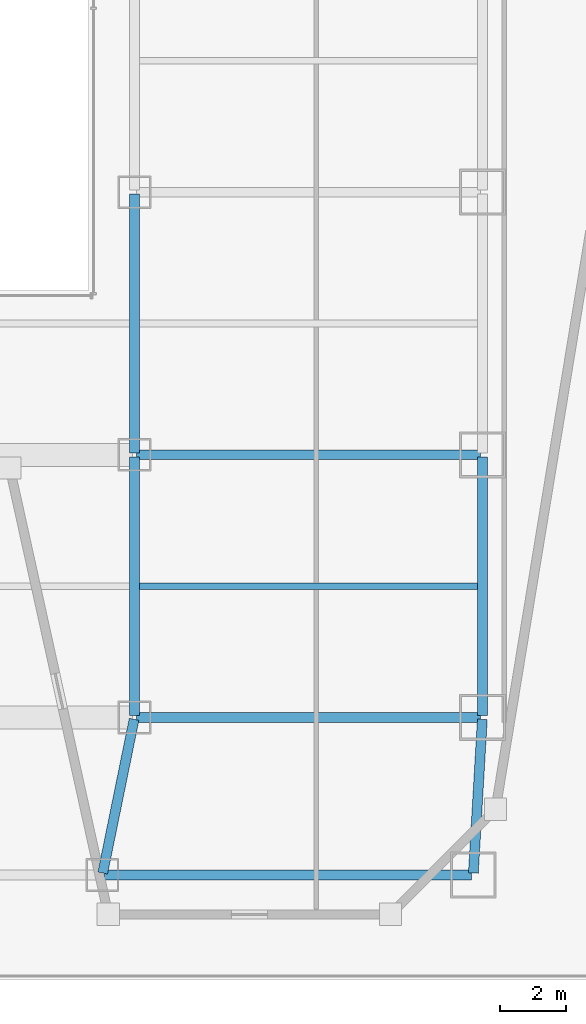
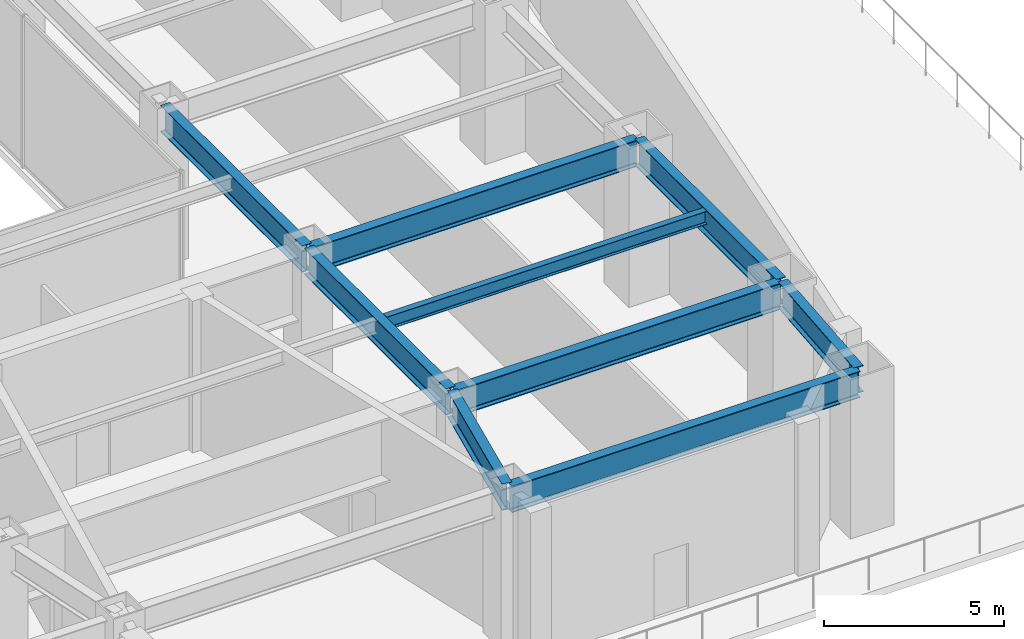
# One storey, part 8 of 29: 9 beams.
"""IFC4 building model written with IfcOpenShell, lengths in metres."""

from ifc_helpers import new_model, si_unit, direction, frame, origin, origin_2d, place, context, subcontext, project, spatial, i_section, extrude, material, material_profile, profile_set, type_object, element, save


model = new_model("IFC4")

# Units and contexts
model_context = context("Model", 3, precision=1e-05, world=origin(), true_north=direction((0.0, 1.0)))
body_context = subcontext(model_context, "Body", "Model", "MODEL_VIEW")
ifc_project = project(units=[si_unit("LENGTHUNIT", "METRE"), si_unit("AREAUNIT", "SQUARE_METRE"), si_unit("VOLUMEUNIT", "CUBIC_METRE"), si_unit("PLANEANGLEUNIT", "RADIAN"), si_unit("MASSUNIT", "GRAM", prefix="KILO")], contexts=[model_context])

# Site, building, storey
site_placement = place(None, origin())
site = spatial("IfcSite", under=ifc_project, at=site_placement, CompositionType="ELEMENT")
building_placement = place(site_placement, origin())
building = spatial("IfcBuilding", under=site, at=building_placement, Name="Saevonmaru Cultural Tower", CompositionType="ELEMENT")
storey_placement = place(building_placement, frame((0.0, 0.0, 27.60009765625)))
storey = spatial("IfcBuildingStorey", under=building, at=storey_placement, Name="L05", CompositionType="ELEMENT", Elevation=27.60009765625)

# Beams
ifc_material_1 = material(Name="Steel SM420", Category="steel")
ifc_material_profile_1 = material_profile(ifc_material_1, i_section(OverallWidth=0.300048828125, OverallDepth=0.89990234375, WebThickness=0.01611328125, FlangeThickness=0.028076171875, FilletRadius=0.028076171875, at=origin_2d()), Name="H-900x300x16x28")
ifc_profile_set_1 = profile_set([ifc_material_profile_1], Name="Steel SM420")
beam_type_1 = type_object("IfcBeamType", Name="BM-G-H900", PredefinedType="BEAM", material=ifc_profile_set_1)
beam_1_placement = place(storey_placement, frame((36.23193359375, 3.2587890625, 4.699951171875), z_axis=(0.200054094908, 0.979784853481, 0.0), x_axis=(-0.979784853481, 0.200054094908, 0.0)))
element("IfcBeam", 1, at=beam_1_placement, inside=storey, type_object=beam_type_1, Name="L05 Podium Girder NS3-1", PredefinedType="BEAM", context=body_context, shape_type="SweptSolid", body=[
    extrude(i_section(OverallWidth=0.300048828125, OverallDepth=0.89990234375, WebThickness=0.01611328125, FlangeThickness=0.028076171875, FilletRadius=0.028076171875, at=origin_2d()), origin(), (0.0, 0.0, 1.0), 4.779052734375),
])
for number, where, z_axis, x_axis, name in (
    (2, (37.199951171875, 8.06005859375, 4.699951171875), (0.0, 1.0, 0.0), (-1.0, 0.0, 0.0), "L05 Podium Girder NS3-2"),
    (3, (37.199951171875, 16.06005859375, 4.699951171875), (0.0, 1.0, 0.0), (-1.0, 0.0, 0.0), "L05 Podium Girder NS3-3"),
):
    element("IfcBeam", number, at=place(storey_placement, frame(where, z_axis=z_axis, x_axis=x_axis)), inside=storey, type_object=beam_type_1, Name=name, PredefinedType="BEAM", context=body_context, shape_type="SweptSolid", body=[
        extrude(i_section(OverallWidth=0.300048828125, OverallDepth=0.89990234375, WebThickness=0.01611328125, FlangeThickness=0.028076171875, FilletRadius=0.028076171875, at=origin_2d()), origin(), (0.0, 0.0, 1.0), 7.8798828125),
    ])
beam_2_placement = place(storey_placement, frame((47.5234375, 3.260009765625, 4.699951171875), z_axis=(0.058221363278, 0.998303697708, 0.0), x_axis=(-0.998303697708, 0.058221363278, 0.0)))
element("IfcBeam", 4, at=beam_2_placement, inside=storey, type_object=beam_type_1, Name="L05 Podium Girder NS4-1", PredefinedType="BEAM", context=body_context, shape_type="SweptSolid", body=[
    extrude(i_section(OverallWidth=0.300048828125, OverallDepth=0.89990234375, WebThickness=0.01611328125, FlangeThickness=0.028076171875, FilletRadius=0.028076171875, at=origin_2d()), origin(), (0.0, 0.0, 1.0), 4.688232421875),
])
beam_3_placement = place(storey_placement, frame((47.800048828125, 8.06005859375, 4.699951171875), z_axis=(0.0, 1.0, 0.0), x_axis=(-1.0, 0.0, 0.0)))
element("IfcBeam", 5, at=beam_3_placement, inside=storey, type_object=beam_type_1, Name="L05 Podium Girder NS4-2", PredefinedType="BEAM", context=body_context, shape_type="SweptSolid", body=[
    extrude(i_section(OverallWidth=0.300048828125, OverallDepth=0.89990234375, WebThickness=0.01611328125, FlangeThickness=0.028076171875, FilletRadius=0.028076171875, at=origin_2d()), origin(), (0.0, 0.0, 1.0), 7.8798828125),
])
beam_4_placement = place(storey_placement, frame((36.280029296875, 3.199951171875, 4.699951171875), z_axis=(1.0, 0.0, 0.0), x_axis=(0.0, 1.0, 0.0)))
element("IfcBeam", 6, at=beam_4_placement, inside=storey, type_object=beam_type_1, Name="BM-POD-EW-E-0-L05", PredefinedType="BEAM", context=body_context, shape_type="SweptSolid", body=[
    extrude(i_section(OverallWidth=0.300048828125, OverallDepth=0.89990234375, WebThickness=0.01611328125, FlangeThickness=0.028076171875, FilletRadius=0.028076171875, at=origin_2d()), origin(), (0.0, 0.0, 1.0), 11.179931640625),
])
for number, where, z_axis, x_axis, name in (
    (7, (37.260009765625, 8.0, 4.699951171875), (1.0, 0.0, 0.0), (0.0, 1.0, 0.0), "L05 Gallery Girder E-1"),
    (8, (37.260009765625, 16.0, 4.699951171875), (1.0, 0.0, 0.0), (0.0, 1.0, 0.0), "L05 Gallery Girder E-2"),
):
    element("IfcBeam", number, at=place(storey_placement, frame(where, z_axis=z_axis, x_axis=x_axis)), inside=storey, type_object=beam_type_1, Name=name, PredefinedType="BEAM", context=body_context, shape_type="SweptSolid", body=[
        extrude(i_section(OverallWidth=0.300048828125, OverallDepth=0.89990234375, WebThickness=0.01611328125, FlangeThickness=0.028076171875, FilletRadius=0.028076171875, at=origin_2d()), origin(), (0.0, 0.0, 1.0), 10.47998046875),
    ])
ifc_material_2 = material(Name="Steel SM355", Category="steel")
ifc_material_profile_2 = material_profile(ifc_material_2, i_section(OverallWidth=0.199951171875, OverallDepth=0.449951171875, WebThickness=0.009033203125, FlangeThickness=0.013916015625, FilletRadius=0.01806640625, at=origin_2d()), Name="H-450x200x9x14")
ifc_profile_set_2 = profile_set([ifc_material_profile_2], Name="Steel SM355")
beam_type_2 = type_object("IfcBeamType", Name="BM-J-H450", PredefinedType="JOIST", material=ifc_profile_set_2)
beam_5_placement = place(storey_placement, frame((37.35791015625, 12.0, 4.9248046875), z_axis=(1.0, 0.0, 0.0), x_axis=(0.0, 1.0, 0.0)))
element("IfcBeam", 9, at=beam_5_placement, inside=storey, type_object=beam_type_2, Name="L05 Secondary Floor Joist JE-1", PredefinedType="JOIST", context=body_context, shape_type="SweptSolid", body=[
    extrude(i_section(OverallWidth=0.199951171875, OverallDepth=0.449951171875, WebThickness=0.009033203125, FlangeThickness=0.013916015625, FilletRadius=0.01806640625, at=origin_2d()), origin(), (0.0, 0.0, 1.0), 10.2841796875),
])

save(model, "model.ifc")
